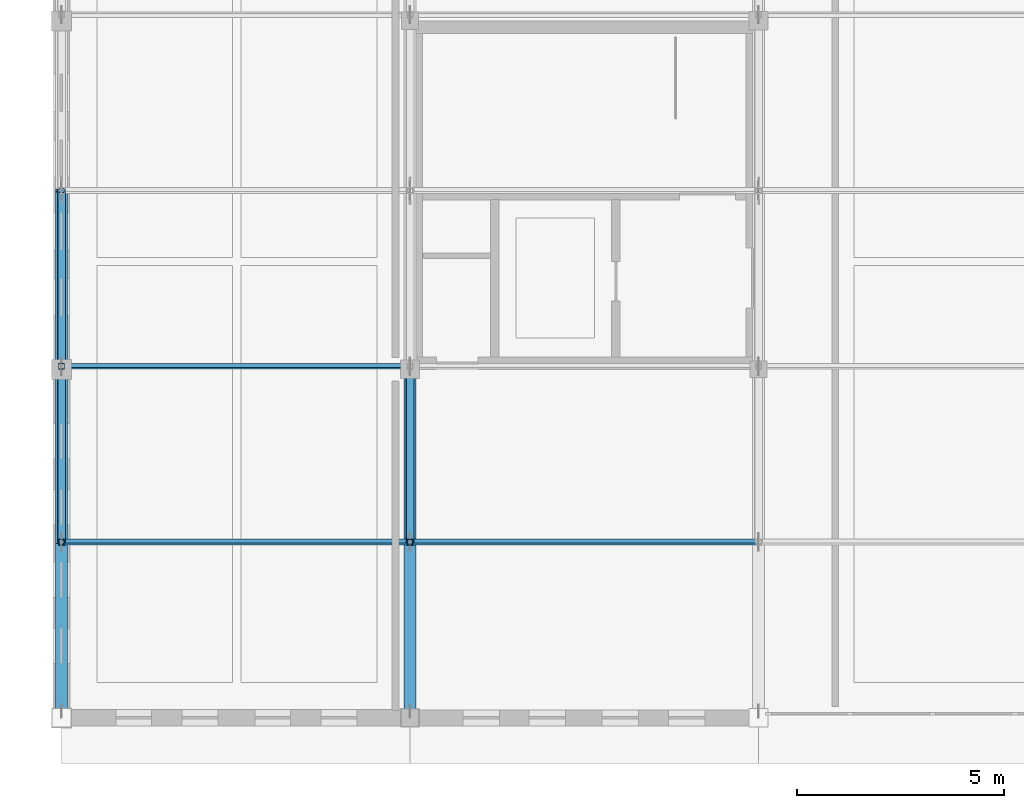
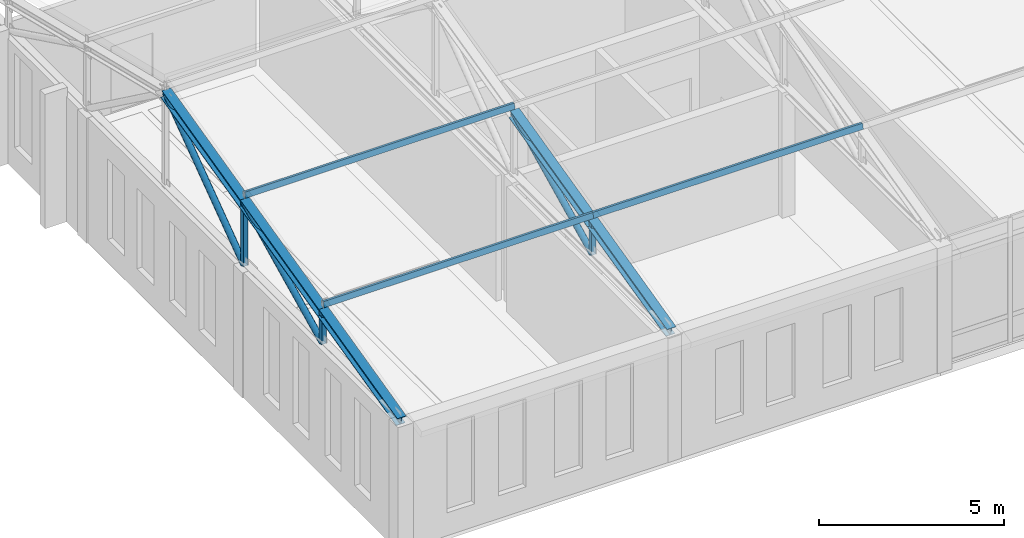
# One storey, part 13 of 192: 14 members.
"""IFC4 building model written with IfcOpenShell, lengths in metres."""

from ifc_helpers import new_model, si_unit, direction, frame, origin, origin_2d, place, context, subcontext, project, spatial, hollow_rectangle, hollow_circle, i_section, extrude, material, material_profile, profile_set, type_object, element, save


model = new_model("IFC4")

# Units and contexts
model_context = context("Model", 3, precision=1e-05, world=origin(), true_north=direction((0.0, 1.0)))
body_context = subcontext(model_context, "Body", "Model", "MODEL_VIEW")
ifc_project = project(units=[si_unit("LENGTHUNIT", "METRE"), si_unit("AREAUNIT", "SQUARE_METRE"), si_unit("VOLUMEUNIT", "CUBIC_METRE"), si_unit("PLANEANGLEUNIT", "RADIAN"), si_unit("MASSUNIT", "GRAM", prefix="KILO")], contexts=[model_context])

# Site, building, storey
site_placement = place(None, origin())
site = spatial("IfcSite", under=ifc_project, at=site_placement, CompositionType="ELEMENT")
building_placement = place(site_placement, origin())
building = spatial("IfcBuilding", under=site, at=building_placement, Name="Kveldsbrygga Polytechnic", CompositionType="ELEMENT")
storey_placement = place(building_placement, frame((0.0, 0.0, 5.43994140625)))
storey = spatial("IfcBuildingStorey", under=building, at=storey_placement, Name="L01", CompositionType="ELEMENT", Elevation=5.43994140625)

# Members
ifc_material = material(Name="Steel S355", Category="steel")
ifc_material_profile_1 = material_profile(ifc_material, hollow_rectangle(XDim=0.10009765625, YDim=0.179931640625, WallThickness=0.008056640625, at=origin_2d()), Name="RHS 180x100x8.0")
ifc_profile_set_1 = profile_set([ifc_material_profile_1], Name="Steel S355")
member_type_1 = type_object("IfcMemberType", Name="PRL-RHS180", PredefinedType="PURLIN", material=ifc_profile_set_1)
for number, where, z_axis, x_axis, name in (
    (1, (0.0, 4.236572265625, 5.39013671875), (1.0, 0.0, 0.0), (0.0, 0.971520177509, -0.236956841415), "Roof Purlin V5S-PRL-1-1"),
    (2, (0.0, 8.473388671875, 6.423583984375), (1.0, 0.0, 0.0), (0.0, 0.971520177509, -0.236956841415), "Roof Purlin V5S-PRL-1-2"),
):
    element("IfcMember", number, at=place(storey_placement, frame(where, z_axis=z_axis, x_axis=x_axis)), inside=storey, type_object=member_type_1, Name=name, PredefinedType="PURLIN", context=body_context, shape_type="SweptSolid", body=[
        extrude(hollow_rectangle(XDim=0.10009765625, YDim=0.179931640625, WallThickness=0.008056640625, at=origin_2d()), origin(), (0.0, 0.0, 1.0), 8.39990234375),
    ])
member_1_placement = place(storey_placement, frame((8.39990234375, 4.236572265625, 5.39013671875), z_axis=(1.0, 0.0, 0.0), x_axis=(0.0, 0.971520177509, -0.236956841415)))
element("IfcMember", 3, at=member_1_placement, inside=storey, type_object=member_type_1, Name="Roof Purlin V5S-PRL-2-1", PredefinedType="PURLIN", context=body_context, shape_type="SweptSolid", body=[
    extrude(hollow_rectangle(XDim=0.10009765625, YDim=0.179931640625, WallThickness=0.008056640625, at=origin_2d()), origin(), (0.0, 0.0, 1.0), 8.400146484375),
])
ifc_material_profile_2 = material_profile(ifc_material, hollow_circle(Radius=0.096923828125, WallThickness=0.010009765625, at=origin_2d()), Name="CHS 193.7x10.0")
ifc_profile_set_2 = profile_set([ifc_material_profile_2], Name="Steel S355")
member_type_2 = type_object("IfcMemberType", Name="TR-DIAG-CHS194", PredefinedType="BRACE", material=ifc_profile_set_2)
member_2_placement = place(storey_placement, frame((0.0, 4.236572265625, 4.1201171875), z_axis=(0.0, 0.898775911737, 0.438408326199), x_axis=(-1.0, 0.0, 0.0)))
element("IfcMember", 4, at=member_2_placement, inside=storey, type_object=member_type_2, Name="Truss Diagonal V5S-T01-DG-2", PredefinedType="BRACE", context=body_context, shape_type="SweptSolid", body=[
    extrude(hollow_circle(Radius=0.096923828125, WallThickness=0.010009765625, at=origin_2d()), origin(), (0.0, 0.0, 1.0), 4.7138671875),
])
member_3_placement = place(storey_placement, frame((0.0, 8.473388671875, 4.1201171875), z_axis=(0.0, 0.807037353017, 0.590500390207), x_axis=(-1.0, 0.0, 0.0)))
element("IfcMember", 5, at=member_3_placement, inside=storey, type_object=member_type_2, Name="Truss Diagonal V5S-T01-DG-3", PredefinedType="BRACE", context=body_context, shape_type="SweptSolid", body=[
    extrude(hollow_circle(Radius=0.096923828125, WallThickness=0.010009765625, at=origin_2d()), origin(), (0.0, 0.0, 1.0), 5.24951171875),
])
member_4_placement = place(storey_placement, frame((8.39990234375, 4.236572265625, 4.1201171875), z_axis=(0.0, 0.898775911737, 0.438408326199), x_axis=(-1.0, 0.0, 0.0)))
element("IfcMember", 6, at=member_4_placement, inside=storey, type_object=member_type_2, Name="Truss Diagonal V5S-T02-DG-2", PredefinedType="BRACE", context=body_context, shape_type="SweptSolid", body=[
    extrude(hollow_circle(Radius=0.096923828125, WallThickness=0.010009765625, at=origin_2d()), origin(), (0.0, 0.0, 1.0), 4.7138671875),
])
ifc_material_profile_3 = material_profile(ifc_material, hollow_rectangle(XDim=0.139892578125, YDim=0.139892578125, WallThickness=0.008056640625, at=origin_2d()), Name="SHS 140x140x8.0")
ifc_profile_set_3 = profile_set([ifc_material_profile_3], Name="Steel S355")
member_type_3 = type_object("IfcMemberType", Name="TR-POST-SHS140", PredefinedType="STRUT", material=ifc_profile_set_3)
member_5_placement = place(storey_placement, frame((0.0, 4.236572265625, 4.1201171875), z_axis=(0.0, 0.0, 1.0), x_axis=(1.0, 0.0, 0.0)))
element("IfcMember", 7, at=member_5_placement, inside=storey, type_object=member_type_3, Name="Truss Vertical V5S-T01-VT-1", PredefinedType="STRUT", context=body_context, shape_type="SweptSolid", body=[
    extrude(hollow_rectangle(XDim=0.139892578125, YDim=0.139892578125, WallThickness=0.008056640625, at=origin_2d()), origin(), (0.0, 0.0, 1.0), 1.033203125),
])
member_6_placement = place(storey_placement, frame((0.0, 8.473388671875, 4.1201171875), z_axis=(0.0, 0.0, 1.0), x_axis=(1.0, 0.0, 0.0)))
element("IfcMember", 8, at=member_6_placement, inside=storey, type_object=member_type_3, Name="Truss Vertical V5S-T01-VT-2", PredefinedType="STRUT", context=body_context, shape_type="SweptSolid", body=[
    extrude(hollow_rectangle(XDim=0.139892578125, YDim=0.139892578125, WallThickness=0.008056640625, at=origin_2d()), origin(), (0.0, 0.0, 1.0), 2.066650390625),
])
member_7_placement = place(storey_placement, frame((8.39990234375, 4.236572265625, 4.1201171875), z_axis=(0.0, 0.0, 1.0), x_axis=(1.0, 0.0, 0.0)))
element("IfcMember", 9, at=member_7_placement, inside=storey, type_object=member_type_3, Name="Truss Vertical V5S-T02-VT-1", PredefinedType="STRUT", context=body_context, shape_type="SweptSolid", body=[
    extrude(hollow_rectangle(XDim=0.139892578125, YDim=0.139892578125, WallThickness=0.008056640625, at=origin_2d()), origin(), (0.0, 0.0, 1.0), 1.033203125),
])
ifc_material_profile_4 = material_profile(ifc_material, i_section(OverallWidth=0.280029296875, OverallDepth=0.280029296875, WebThickness=0.010498046875, FlangeThickness=0.01806640625, FilletRadius=0.02392578125, at=origin_2d()), Name="HEB 280")
ifc_profile_set_4 = profile_set([ifc_material_profile_4], Name="Steel S355")
member_type_4 = type_object("IfcMemberType", Name="TR-TOP-HEB280", PredefinedType="CHORD", material=ifc_profile_set_4)
member_8_placement = place(storey_placement, frame((0.0, 0.0, 4.1201171875), z_axis=(0.0, 0.971525996838, 0.236932980961), x_axis=(-1.0, 0.0, 0.0)))
element("IfcMember", 10, at=member_8_placement, inside=storey, type_object=member_type_4, Name="Truss Top Chord V5S-T01-TC-1", PredefinedType="CHORD", context=body_context, shape_type="SweptSolid", body=[
    extrude(i_section(OverallWidth=0.280029296875, OverallDepth=0.280029296875, WebThickness=0.010498046875, FlangeThickness=0.01806640625, FilletRadius=0.02392578125, at=origin_2d()), origin(), (0.0, 0.0, 1.0), 4.36083984375),
])
member_9_placement = place(storey_placement, frame((0.0, 4.236572265625, 5.1533203125), z_axis=(0.0, 0.971516252342, 0.236972933973), x_axis=(-1.0, 0.0, 0.0)))
element("IfcMember", 11, at=member_9_placement, inside=storey, type_object=member_type_4, Name="Truss Top Chord V5S-T01-TC-2", PredefinedType="CHORD", context=body_context, shape_type="SweptSolid", body=[
    extrude(i_section(OverallWidth=0.280029296875, OverallDepth=0.280029296875, WebThickness=0.010498046875, FlangeThickness=0.01806640625, FilletRadius=0.02392578125, at=origin_2d()), origin(), (0.0, 0.0, 1.0), 4.361083984375),
])
for number, where, z_axis, x_axis, name in (
    (12, (0.0, 8.473388671875, 6.186767578125), (0.0, 0.971525996838, 0.236932980961), (-1.0, 0.0, 0.0), "Truss Top Chord V5S-T01-TC-3"),
    (13, (8.39990234375, 0.0, 4.1201171875), (0.0, 0.971525996838, 0.236932980961), (-1.0, 0.0, 0.0), "Truss Top Chord V5S-T02-TC-1"),
):
    element("IfcMember", number, at=place(storey_placement, frame(where, z_axis=z_axis, x_axis=x_axis)), inside=storey, type_object=member_type_4, Name=name, PredefinedType="CHORD", context=body_context, shape_type="SweptSolid", body=[
        extrude(i_section(OverallWidth=0.280029296875, OverallDepth=0.280029296875, WebThickness=0.010498046875, FlangeThickness=0.01806640625, FilletRadius=0.02392578125, at=origin_2d()), origin(), (0.0, 0.0, 1.0), 4.36083984375),
    ])
member_10_placement = place(storey_placement, frame((8.39990234375, 4.236572265625, 5.1533203125), z_axis=(0.0, 0.971516252342, 0.236972933973), x_axis=(-1.0, 0.0, 0.0)))
element("IfcMember", 14, at=member_10_placement, inside=storey, type_object=member_type_4, Name="Truss Top Chord V5S-T02-TC-2", PredefinedType="CHORD", context=body_context, shape_type="SweptSolid", body=[
    extrude(i_section(OverallWidth=0.280029296875, OverallDepth=0.280029296875, WebThickness=0.010498046875, FlangeThickness=0.01806640625, FilletRadius=0.02392578125, at=origin_2d()), origin(), (0.0, 0.0, 1.0), 4.361083984375),
])

save(model, "model.ifc")
